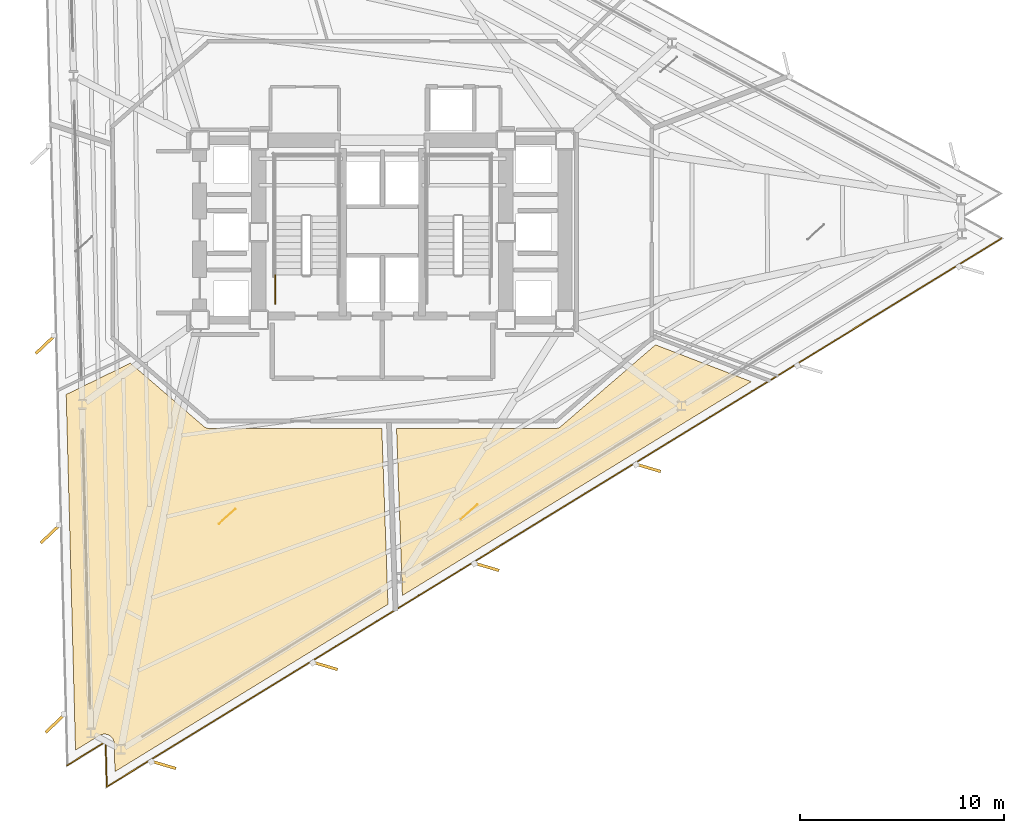
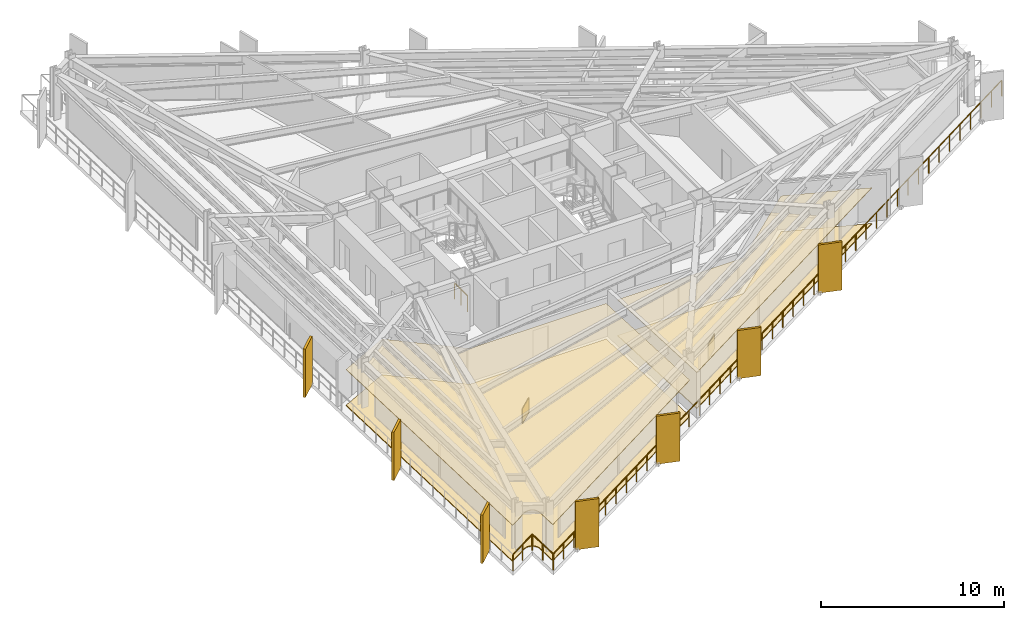
# One storey, part 10 of 14: 7 shading devices, 6 coverings, 2 railings.
"""IFC4 building model written with IfcOpenShell, lengths in metres."""

from ifc_helpers import new_model, si_unit, direction, frame, origin, origin_2d, place, context, subcontext, project, spatial, polyline, rectangle, outline, extrude, material, layer, layer_set, type_object, element, save


model = new_model("IFC4")

# Units and contexts
model_context = context("Model", 3, precision=1e-05, world=origin(), true_north=direction((0.0, 1.0)))
body_context = subcontext(model_context, "Body", "Model", "MODEL_VIEW")
ifc_project = project(units=[si_unit("LENGTHUNIT", "METRE"), si_unit("AREAUNIT", "SQUARE_METRE"), si_unit("VOLUMEUNIT", "CUBIC_METRE"), si_unit("PLANEANGLEUNIT", "RADIAN"), si_unit("MASSUNIT", "GRAM", prefix="KILO")], contexts=[model_context])

# Site, building, storey
site_placement = place(None, origin())
site = spatial("IfcSite", under=ifc_project, at=site_placement, CompositionType="ELEMENT")
building_placement = place(site_placement, origin())
building = spatial("IfcBuilding", under=site, at=building_placement, Name="Rocaltana Carrier Exchange", CompositionType="ELEMENT")
storey_placement = place(building_placement, frame((0.0, 0.0, 25.60009765625)))
storey = spatial("IfcBuildingStorey", under=building, at=storey_placement, Name="L08", CompositionType="ELEMENT", Elevation=25.60009765625)

# Coverings
ifc_material_1 = material(Name="Calcium Sulphate & Aluminium Pedestal", Category="aluminium")
ifc_layer_1 = layer(ifc_material_1, 0.06005859375)
ifc_layer_set_1 = layer_set([ifc_layer_1], Name="Calcium Sulphate & Aluminium Pedestal")
covering_type_1 = type_object("IfcCoveringType", Name="Anti-Static Raised Exchange Access Floor 60", PredefinedType="FLOORING", material=ifc_layer_set_1)
covering_1_placement = place(storey_placement, origin())
element("IfcCovering", 1, at=covering_1_placement, inside=storey, type_object=covering_type_1, Name="L08 Network Operations Office Finish Floor", PredefinedType="FLOORING", context=body_context, shape_type="SweptSolid", body=[
    extrude(outline(polyline([(-13.12939453125, -25.05224609375), (-13.1298828125, -25.038330078125), (-13.131591796875, -25.018310546875), (-13.135009765625, -24.99072265625), (-13.138427734375, -24.97119140625), (-13.144775390625, -24.94384765625), (-13.150146484375, -24.9248046875), (-13.1591796875, -24.898193359375), (-13.16650390625, -24.879638671875), (-13.177978515625, -24.854248046875), (-13.18701171875, -24.83642578125), (-13.200927734375, -24.8125), (-13.2119140625, -24.795654296875), (-13.228271484375, -24.77294921875), (-13.240478515625, -24.75732421875), (-13.259033203125, -24.736572265625), (-13.273193359375, -24.722412109375), (-13.29345703125, -24.703369140625), (-13.308837890625, -24.6904296875), (-13.3310546875, -24.673583984375), (-13.34765625, -24.66259765625), (-13.371337890625, -24.64794921875), (-13.388916015625, -24.638427734375), (-13.4140625, -24.626220703125), (-13.4326171875, -24.61865234375), (-13.458740234375, -24.609130859375), (-13.477783203125, -24.603271484375), (-13.5048828125, -24.596435546875), (-13.5244140625, -24.592529296875), (-13.552001953125, -24.58837890625), (-13.57177734375, -24.58642578125), (-13.599609375, -24.5849609375), (-13.61962890625, -24.585205078125), (-13.6474609375, -24.58642578125), (-13.66748046875, -24.58837890625), (-13.695068359375, -24.5927734375), (-13.714599609375, -24.5966796875), (-13.74169921875, -24.603515625), (-13.760498046875, -24.609619140625), (-13.786865234375, -24.619140625), (-13.80517578125, -24.626708984375), (-13.830322265625, -24.638916015625), (-13.847900390625, -24.6484375), (-13.85986328125, -24.655517578125), (-15.02685546875, -25.37060546875), (-15.48291015625, -7.9521484375), (-12.337890625, -6.418212890625), (-8.735107421875, -9.522705078125), (-8.72412109375, -9.53173828125), (-8.717529296875, -9.53662109375), (-8.6943359375, -9.552978515625), (-8.6875, -9.557373046875), (-8.66259765625, -9.571044921875), (-8.6552734375, -9.57470703125), (-8.629150390625, -9.5859375), (-8.62158203125, -9.5888671875), (-8.594482421875, -9.597412109375), (-8.58642578125, -9.599365234375), (-8.55859375, -9.60498046875), (-8.550537109375, -9.606201171875), (-8.522216796875, -9.609130859375), (-8.51416015625, -9.609619140625), (-8.5, -9.610107421875), (-0.024658203125, -9.610107421875), (0.2763671875, -18.2275390625), (-13.093505859375, -26.42041015625), (-13.12939453125, -25.05224609375)])), origin(), (0.0, 0.0, 1.0), 0.059814453125),
])
covering_2_placement = place(storey_placement, origin())
element("IfcCovering", 2, at=covering_2_placement, inside=storey, type_object=covering_type_1, Name="L08 Cloud Architecture Office Finish Floor", PredefinedType="FLOORING", context=body_context, shape_type="SweptSolid", body=[
    extrude(outline(polyline([(0.981689453125, -17.795166015625), (0.69580078125, -9.610107421875), (8.5, -9.610107421875), (8.51416015625, -9.609619140625), (8.522216796875, -9.609130859375), (8.550537109375, -9.606201171875), (8.55859375, -9.60498046875), (8.58642578125, -9.599365234375), (8.594482421875, -9.597412109375), (8.62158203125, -9.5888671875), (8.629150390625, -9.5859375), (8.6552734375, -9.57470703125), (8.66259765625, -9.571044921875), (8.6875, -9.557373046875), (8.6943359375, -9.552978515625), (8.717529296875, -9.53662109375), (8.72412109375, -9.53173828125), (8.735107421875, -9.522705078125), (13.378662109375, -5.521240234375), (18.0712890625, -7.322509765625), (0.981689453125, -17.795166015625)])), origin(), (0.0, 0.0, 1.0), 0.059814453125),
])
ifc_material_2 = material(Name="Mineral Fibre & Powder-Coated Aluminium", Category="aluminium")
ifc_layer_2 = layer(ifc_material_2, 0.044921875)
ifc_layer_set_2 = layer_set([ifc_layer_2], Name="Mineral Fibre & Powder-Coated Aluminium")
covering_type_2 = type_object("IfcCoveringType", Name="Micro-Perforated Acoustic Ceiling 45", PredefinedType="CEILING", material=ifc_layer_set_2)
covering_3_placement = place(storey_placement, frame((0.0, 0.0, 2.40283203125)))
element("IfcCovering", 3, at=covering_3_placement, inside=storey, type_object=covering_type_2, Name="L08 Network Operations Office Acoustic Ceiling", PredefinedType="CEILING", context=body_context, shape_type="SweptSolid", body=[
    extrude(outline(polyline([(-13.12939453125, -25.05224609375), (-13.1298828125, -25.038330078125), (-13.131591796875, -25.018310546875), (-13.135009765625, -24.99072265625), (-13.138427734375, -24.97119140625), (-13.144775390625, -24.94384765625), (-13.150146484375, -24.9248046875), (-13.1591796875, -24.898193359375), (-13.16650390625, -24.879638671875), (-13.177978515625, -24.854248046875), (-13.18701171875, -24.83642578125), (-13.200927734375, -24.8125), (-13.2119140625, -24.795654296875), (-13.228271484375, -24.77294921875), (-13.240478515625, -24.75732421875), (-13.259033203125, -24.736572265625), (-13.273193359375, -24.722412109375), (-13.29345703125, -24.703369140625), (-13.308837890625, -24.6904296875), (-13.3310546875, -24.673583984375), (-13.34765625, -24.66259765625), (-13.371337890625, -24.64794921875), (-13.388916015625, -24.638427734375), (-13.4140625, -24.626220703125), (-13.4326171875, -24.61865234375), (-13.458740234375, -24.609130859375), (-13.477783203125, -24.603271484375), (-13.5048828125, -24.596435546875), (-13.5244140625, -24.592529296875), (-13.552001953125, -24.58837890625), (-13.57177734375, -24.58642578125), (-13.599609375, -24.5849609375), (-13.61962890625, -24.585205078125), (-13.6474609375, -24.58642578125), (-13.66748046875, -24.58837890625), (-13.695068359375, -24.5927734375), (-13.714599609375, -24.5966796875), (-13.74169921875, -24.603515625), (-13.760498046875, -24.609619140625), (-13.786865234375, -24.619140625), (-13.80517578125, -24.626708984375), (-13.830322265625, -24.638916015625), (-13.847900390625, -24.6484375), (-13.85986328125, -24.655517578125), (-15.02685546875, -25.37060546875), (-15.48291015625, -7.9521484375), (-12.337890625, -6.418212890625), (-8.735107421875, -9.522705078125), (-8.72412109375, -9.53173828125), (-8.717529296875, -9.53662109375), (-8.6943359375, -9.552978515625), (-8.6875, -9.557373046875), (-8.66259765625, -9.571044921875), (-8.6552734375, -9.57470703125), (-8.629150390625, -9.5859375), (-8.62158203125, -9.5888671875), (-8.594482421875, -9.597412109375), (-8.58642578125, -9.599365234375), (-8.55859375, -9.60498046875), (-8.550537109375, -9.606201171875), (-8.522216796875, -9.609130859375), (-8.51416015625, -9.609619140625), (-8.5, -9.610107421875), (-0.024658203125, -9.610107421875), (0.2763671875, -18.2275390625), (-13.093505859375, -26.42041015625), (-13.12939453125, -25.05224609375)])), origin(), (0.0, 0.0, 1.0), 0.045166015625),
])
covering_4_placement = place(storey_placement, frame((0.0, 0.0, 2.40283203125)))
element("IfcCovering", 4, at=covering_4_placement, inside=storey, type_object=covering_type_2, Name="L08 Cloud Architecture Office Acoustic Ceiling", PredefinedType="CEILING", context=body_context, shape_type="SweptSolid", body=[
    extrude(outline(polyline([(0.981689453125, -17.795166015625), (0.69580078125, -9.610107421875), (8.5, -9.610107421875), (8.51416015625, -9.609619140625), (8.522216796875, -9.609130859375), (8.550537109375, -9.606201171875), (8.55859375, -9.60498046875), (8.58642578125, -9.599365234375), (8.594482421875, -9.597412109375), (8.62158203125, -9.5888671875), (8.629150390625, -9.5859375), (8.6552734375, -9.57470703125), (8.66259765625, -9.571044921875), (8.6875, -9.557373046875), (8.6943359375, -9.552978515625), (8.717529296875, -9.53662109375), (8.72412109375, -9.53173828125), (8.735107421875, -9.522705078125), (13.378662109375, -5.521240234375), (18.0712890625, -7.322509765625), (0.981689453125, -17.795166015625)])), origin(), (0.0, 0.0, 1.0), 0.045166015625),
])

# Railing
ifc_material_3 = material(Name="Powder-Coated Aluminium 6063-T6", Category="aluminium")
ifc_layer_3 = layer(ifc_material_3, 0.048095703125)
ifc_layer_set_3 = layer_set([ifc_layer_3], Name="Powder-Coated Aluminium 6063-T6")
railing_type_1 = type_object("IfcRailingType", Name="Stair Well Guardrail 1100", PredefinedType="GUARDRAIL", material=ifc_layer_set_3)
railing_1_placement = place(storey_placement, frame((-5.25, -3.5, 0.0)))
element("IfcRailing", 5, at=railing_1_placement, inside=storey, type_object=railing_type_1, Name="L08 ST-1 stair guard 9", PredefinedType="GUARDRAIL", context=body_context, shape_type="SweptSolid", body=[
    extrude(rectangle(XDim=0.048095703125, YDim=0.048095703125, at=origin_2d()), frame((0.0, 0.0, 1.076171875), z_axis=(0.0, 1.0, 0.0), x_axis=(-1.0, 0.0, 0.0)), (0.0, 0.0, 1.0), 1.39990234375),
    extrude(rectangle(XDim=0.0419921875, YDim=0.0419921875, at=origin_2d()), origin(), (0.0, 0.0, 1.0), 1.052001953125),
    extrude(rectangle(XDim=0.0419921875, YDim=0.0419921875, at=origin_2d()), frame((0.0, 0.699951171875, 0.0)), (0.0, 0.0, 1.0), 1.052001953125),
    extrude(rectangle(XDim=0.0419921875, YDim=0.0419921875, at=origin_2d()), frame((0.0, 1.39990234375, 0.0)), (0.0, 0.0, 1.0), 1.052001953125),
])

# Coverings
ifc_material_4 = material(Name="Honed Piedra Muneca Sandstone", Category="masonry")
ifc_layer_4 = layer(ifc_material_4, 0.034912109375)
ifc_layer_set_4 = layer_set([ifc_layer_4], Name="Honed Piedra Muneca Sandstone")
covering_type_3 = type_object("IfcCoveringType", Name="Stone Facade Cladding 35", PredefinedType="CLADDING", material=ifc_layer_set_4)
for number, where, z_axis, x_axis, name in (
    (6, (-7.600341796875, -13.918701171875, 0.0), (0.0, 0.0, 1.0), (0.743144825477, 0.669130606359, 0.0), "L08 Stone Facade Cladding Panel 2"),
    (7, (4.24951171875, -13.70263671875, 0.0), (0.0, 0.0, 1.0), (0.743144825477, 0.669130606359, 0.0), "L08 Stone Facade Cladding Panel 3"),
):
    element("IfcCovering", number, at=place(storey_placement, frame(where, z_axis=z_axis, x_axis=x_axis)), inside=storey, type_object=covering_type_3, Name=name, PredefinedType="CLADDING", context=body_context, shape_type="SweptSolid", body=[
        extrude(rectangle(XDim=1.10009765625, YDim=0.034912109375, at=origin_2d()), origin(), (0.0, 0.0, 1.0), 1.050048828125),
    ])

# Shading devices
ifc_material_5 = material(Name="Honed Bogota Sandstone & Concrete C45/55", Category="masonry")
ifc_layer_5 = layer(ifc_material_5, 0.139892578125)
ifc_layer_set_5 = layer_set([ifc_layer_5], Name="Honed Bogota Sandstone & Concrete C45/55")
shading_device_type = type_object("IfcShadingDeviceType", Name="Vertical Sandstone Shading Fin 1320x140", PredefinedType="USERDEFINED", material=ifc_layer_set_5)
for number, where, z_axis, x_axis, name in (
    (8, (-16.488525390625, -5.48828125, -0.1201171875), (0.0, 0.0, 1.0), (-0.725374371012, -0.688354575694, 0.0), "L08 Sandstone Vertical Fin F2-04"),
    (9, (-16.24560546875, -14.76513671875, -0.1201171875), (0.0, 0.0, 1.0), (-0.725374371012, -0.688354575694, 0.0), "L08 Sandstone Vertical Fin F2-05"),
    (10, (-16.002685546875, -24.0419921875, -0.1201171875), (0.0, 0.0, 1.0), (-0.725374371012, -0.688354575694, 0.0), "L08 Sandstone Vertical Fin F2-06"),
    (11, (-10.740234375, -26.081787109375, -0.1201171875), (0.0, 0.0, 1.0), (0.958819734868, -0.284015344704, 0.0), "L08 Sandstone Vertical Fin F3-01"),
    (12, (-2.82763671875, -21.23291015625, -0.1201171875), (0.0, 0.0, 1.0), (0.958819734868, -0.284015344704, 0.0), "L08 Sandstone Vertical Fin F3-02"),
    (13, (5.084716796875, -16.384033203125, -0.1201171875), (0.0, 0.0, 1.0), (0.958819734868, -0.284015344704, 0.0), "L08 Sandstone Vertical Fin F3-03"),
    (14, (12.997314453125, -11.535400390625, -0.1201171875), (0.0, 0.0, 1.0), (0.958819734868, -0.284015344704, 0.0), "L08 Sandstone Vertical Fin F3-04"),
):
    element("IfcShadingDevice", number, at=place(storey_placement, frame(where, z_axis=z_axis, x_axis=x_axis)), inside=storey, type_object=shading_device_type, Name=name, ObjectType="FIN", PredefinedType="USERDEFINED", context=body_context, shape_type="SweptSolid", body=[
        extrude(rectangle(XDim=1.320068359375, YDim=0.139892578125, at=origin_2d()), origin(), (0.0, 0.0, 1.0), 3.218017578125),
    ])

# Railing
ifc_material_6 = material(Name="Powder-Coated Aluminium 6063-T6", Category="aluminium")
ifc_layer_6 = layer(ifc_material_6, 0.06005859375)
ifc_layer_set_6 = layer_set([ifc_layer_6], Name="Powder-Coated Aluminium 6063-T6")
railing_type_2 = type_object("IfcRailingType", Name="Wind-Floor & Terrace Perimeter Guardrail 1100", PredefinedType="GUARDRAIL", material=ifc_layer_set_6)
railing_2_placement = place(storey_placement, frame((30.32470703125, -0.306396484375, 0.0)))
element("IfcRailing", 15, at=railing_2_placement, inside=storey, type_object=railing_type_2, Name="L08 Perimeter Balcony Guardrail 1", PredefinedType="GUARDRAIL", context=body_context, shape_type="SweptSolid", body=[
    extrude(rectangle(XDim=0.048095703125, YDim=0.048095703125, at=origin_2d()), frame((0.0, 0.0, 1.076171875), z_axis=(-0.852639552838, -0.522499562619, 0.0), x_axis=(0.522499562619, -0.852639552838, 0.0)), (0.0, 0.0, 1.0), 51.39208984375),
    extrude(rectangle(XDim=0.048095703125, YDim=0.048095703125, at=origin_2d()), frame((-43.81884765625, -26.852294921875, 1.076171875), z_axis=(-0.026187042546, 0.999657060598, 0.0), x_axis=(-0.999657060598, -0.026187042546, 0.0)), (0.0, 0.0, 1.0), 2.2001953125),
    extrude(rectangle(XDim=0.048095703125, YDim=0.048095703125, at=origin_2d()), frame((-43.87646484375, -24.65283203125, 1.076171875), z_axis=(-0.852598062579, -0.522567262356, 0.0), x_axis=(0.522567262356, -0.852598062579, 0.0)), (0.0, 0.0, 1.0), 2.199951171875),
    extrude(rectangle(XDim=0.0419921875, YDim=0.0419921875, at=origin_2d()), origin(), (0.0, 0.0, 1.0), 1.052001953125),
    extrude(rectangle(XDim=0.0419921875, YDim=0.0419921875, at=origin_2d()), frame((-1.01904296875, -0.62451171875, 0.0)), (0.0, 0.0, 1.0), 1.052001953125),
    extrude(rectangle(XDim=0.0419921875, YDim=0.0419921875, at=origin_2d()), frame((-2.0380859375, -1.2490234375, 0.0)), (0.0, 0.0, 1.0), 1.052001953125),
    extrude(rectangle(XDim=0.0419921875, YDim=0.0419921875, at=origin_2d()), frame((-3.05712890625, -1.87353515625, 0.0)), (0.0, 0.0, 1.0), 1.052001953125),
    extrude(rectangle(XDim=0.0419921875, YDim=0.0419921875, at=origin_2d()), frame((-4.076171875, -2.497802734375, 0.0)), (0.0, 0.0, 1.0), 1.052001953125),
    extrude(rectangle(XDim=0.0419921875, YDim=0.0419921875, at=origin_2d()), frame((-5.09521484375, -3.122314453125, 0.0)), (0.0, 0.0, 1.0), 1.052001953125),
    extrude(rectangle(XDim=0.0419921875, YDim=0.0419921875, at=origin_2d()), frame((-6.1142578125, -3.746826171875, 0.0)), (0.0, 0.0, 1.0), 1.052001953125),
    extrude(rectangle(XDim=0.0419921875, YDim=0.0419921875, at=origin_2d()), frame((-7.13330078125, -4.371337890625, 0.0)), (0.0, 0.0, 1.0), 1.052001953125),
    extrude(rectangle(XDim=0.0419921875, YDim=0.0419921875, at=origin_2d()), frame((-8.15234375, -4.995849609375, 0.0)), (0.0, 0.0, 1.0), 1.052001953125),
    extrude(rectangle(XDim=0.0419921875, YDim=0.0419921875, at=origin_2d()), frame((-9.17138671875, -5.620361328125, 0.0)), (0.0, 0.0, 1.0), 1.052001953125),
    extrude(rectangle(XDim=0.0419921875, YDim=0.0419921875, at=origin_2d()), frame((-10.1904296875, -6.24462890625, 0.0)), (0.0, 0.0, 1.0), 1.052001953125),
    extrude(rectangle(XDim=0.0419921875, YDim=0.0419921875, at=origin_2d()), frame((-11.20947265625, -6.869140625, 0.0)), (0.0, 0.0, 1.0), 1.052001953125),
    extrude(rectangle(XDim=0.0419921875, YDim=0.0419921875, at=origin_2d()), frame((-12.228515625, -7.49365234375, 0.0)), (0.0, 0.0, 1.0), 1.052001953125),
    extrude(rectangle(XDim=0.0419921875, YDim=0.0419921875, at=origin_2d()), frame((-13.24755859375, -8.1181640625, 0.0)), (0.0, 0.0, 1.0), 1.052001953125),
    extrude(rectangle(XDim=0.0419921875, YDim=0.0419921875, at=origin_2d()), frame((-14.2666015625, -8.74267578125, 0.0)), (0.0, 0.0, 1.0), 1.052001953125),
    extrude(rectangle(XDim=0.0419921875, YDim=0.0419921875, at=origin_2d()), frame((-15.28564453125, -9.3671875, 0.0)), (0.0, 0.0, 1.0), 1.052001953125),
    extrude(rectangle(XDim=0.0419921875, YDim=0.0419921875, at=origin_2d()), frame((-16.3046875, -9.991455078125, 0.0)), (0.0, 0.0, 1.0), 1.052001953125),
    extrude(rectangle(XDim=0.0419921875, YDim=0.0419921875, at=origin_2d()), frame((-17.32373046875, -10.615966796875, 0.0)), (0.0, 0.0, 1.0), 1.052001953125),
    extrude(rectangle(XDim=0.0419921875, YDim=0.0419921875, at=origin_2d()), frame((-18.3427734375, -11.240478515625, 0.0)), (0.0, 0.0, 1.0), 1.052001953125),
    extrude(rectangle(XDim=0.0419921875, YDim=0.0419921875, at=origin_2d()), frame((-19.36181640625, -11.864990234375, 0.0)), (0.0, 0.0, 1.0), 1.052001953125),
    extrude(rectangle(XDim=0.0419921875, YDim=0.0419921875, at=origin_2d()), frame((-20.380859375, -12.489501953125, 0.0)), (0.0, 0.0, 1.0), 1.052001953125),
    extrude(rectangle(XDim=0.0419921875, YDim=0.0419921875, at=origin_2d()), frame((-21.39990234375, -13.114013671875, 0.0)), (0.0, 0.0, 1.0), 1.052001953125),
    extrude(rectangle(XDim=0.0419921875, YDim=0.0419921875, at=origin_2d()), frame((-22.4189453125, -13.73828125, 0.0)), (0.0, 0.0, 1.0), 1.052001953125),
    extrude(rectangle(XDim=0.0419921875, YDim=0.0419921875, at=origin_2d()), frame((-23.43798828125, -14.36279296875, 0.0)), (0.0, 0.0, 1.0), 1.052001953125),
    extrude(rectangle(XDim=0.0419921875, YDim=0.0419921875, at=origin_2d()), frame((-24.45703125, -14.9873046875, 0.0)), (0.0, 0.0, 1.0), 1.052001953125),
    extrude(rectangle(XDim=0.0419921875, YDim=0.0419921875, at=origin_2d()), frame((-25.47607421875, -15.61181640625, 0.0)), (0.0, 0.0, 1.0), 1.052001953125),
    extrude(rectangle(XDim=0.0419921875, YDim=0.0419921875, at=origin_2d()), frame((-26.4951171875, -16.236328125, 0.0)), (0.0, 0.0, 1.0), 1.052001953125),
    extrude(rectangle(XDim=0.0419921875, YDim=0.0419921875, at=origin_2d()), frame((-27.51416015625, -16.86083984375, 0.0)), (0.0, 0.0, 1.0), 1.052001953125),
    extrude(rectangle(XDim=0.0419921875, YDim=0.0419921875, at=origin_2d()), frame((-28.533203125, -17.485107421875, 0.0)), (0.0, 0.0, 1.0), 1.052001953125),
    extrude(rectangle(XDim=0.0419921875, YDim=0.0419921875, at=origin_2d()), frame((-29.55224609375, -18.109619140625, 0.0)), (0.0, 0.0, 1.0), 1.052001953125),
    extrude(rectangle(XDim=0.0419921875, YDim=0.0419921875, at=origin_2d()), frame((-30.5712890625, -18.734130859375, 0.0)), (0.0, 0.0, 1.0), 1.052001953125),
    extrude(rectangle(XDim=0.0419921875, YDim=0.0419921875, at=origin_2d()), frame((-31.59033203125, -19.358642578125, 0.0)), (0.0, 0.0, 1.0), 1.052001953125),
    extrude(rectangle(XDim=0.0419921875, YDim=0.0419921875, at=origin_2d()), frame((-32.609375, -19.983154296875, 0.0)), (0.0, 0.0, 1.0), 1.052001953125),
    extrude(rectangle(XDim=0.0419921875, YDim=0.0419921875, at=origin_2d()), frame((-33.62841796875, -20.607666015625, 0.0)), (0.0, 0.0, 1.0), 1.052001953125),
    extrude(rectangle(XDim=0.0419921875, YDim=0.0419921875, at=origin_2d()), frame((-34.6474609375, -21.23193359375, 0.0)), (0.0, 0.0, 1.0), 1.052001953125),
    extrude(rectangle(XDim=0.0419921875, YDim=0.0419921875, at=origin_2d()), frame((-35.66650390625, -21.8564453125, 0.0)), (0.0, 0.0, 1.0), 1.052001953125),
    extrude(rectangle(XDim=0.0419921875, YDim=0.0419921875, at=origin_2d()), frame((-36.685546875, -22.48095703125, 0.0)), (0.0, 0.0, 1.0), 1.052001953125),
    extrude(rectangle(XDim=0.0419921875, YDim=0.0419921875, at=origin_2d()), frame((-37.70458984375, -23.10546875, 0.0)), (0.0, 0.0, 1.0), 1.052001953125),
    extrude(rectangle(XDim=0.0419921875, YDim=0.0419921875, at=origin_2d()), frame((-38.7236328125, -23.72998046875, 0.0)), (0.0, 0.0, 1.0), 1.052001953125),
    extrude(rectangle(XDim=0.0419921875, YDim=0.0419921875, at=origin_2d()), frame((-39.74267578125, -24.3544921875, 0.0)), (0.0, 0.0, 1.0), 1.052001953125),
    extrude(rectangle(XDim=0.0419921875, YDim=0.0419921875, at=origin_2d()), frame((-40.76171875, -24.978759765625, 0.0)), (0.0, 0.0, 1.0), 1.052001953125),
    extrude(rectangle(XDim=0.0419921875, YDim=0.0419921875, at=origin_2d()), frame((-41.78076171875, -25.603271484375, 0.0)), (0.0, 0.0, 1.0), 1.052001953125),
    extrude(rectangle(XDim=0.0419921875, YDim=0.0419921875, at=origin_2d()), frame((-42.7998046875, -26.227783203125, 0.0)), (0.0, 0.0, 1.0), 1.052001953125),
    extrude(rectangle(XDim=0.0419921875, YDim=0.0419921875, at=origin_2d()), frame((-43.81884765625, -26.852294921875, 0.0)), (0.0, 0.0, 1.0), 1.052001953125),
    extrude(rectangle(XDim=0.0419921875, YDim=0.0419921875, at=origin_2d()), frame((-43.84765625, -25.75244140625, 0.0)), (0.0, 0.0, 1.0), 1.052001953125),
    extrude(rectangle(XDim=0.0419921875, YDim=0.0419921875, at=origin_2d()), frame((-43.87646484375, -24.65283203125, 0.0)), (0.0, 0.0, 1.0), 1.052001953125),
    extrude(rectangle(XDim=0.0419921875, YDim=0.0419921875, at=origin_2d()), frame((-44.814453125, -25.2275390625, 0.0)), (0.0, 0.0, 1.0), 1.052001953125),
    extrude(rectangle(XDim=0.0419921875, YDim=0.0419921875, at=origin_2d()), frame((-45.752197265625, -25.802490234375, 0.0)), (0.0, 0.0, 1.0), 1.052001953125),
])

save(model, "model.ifc")
